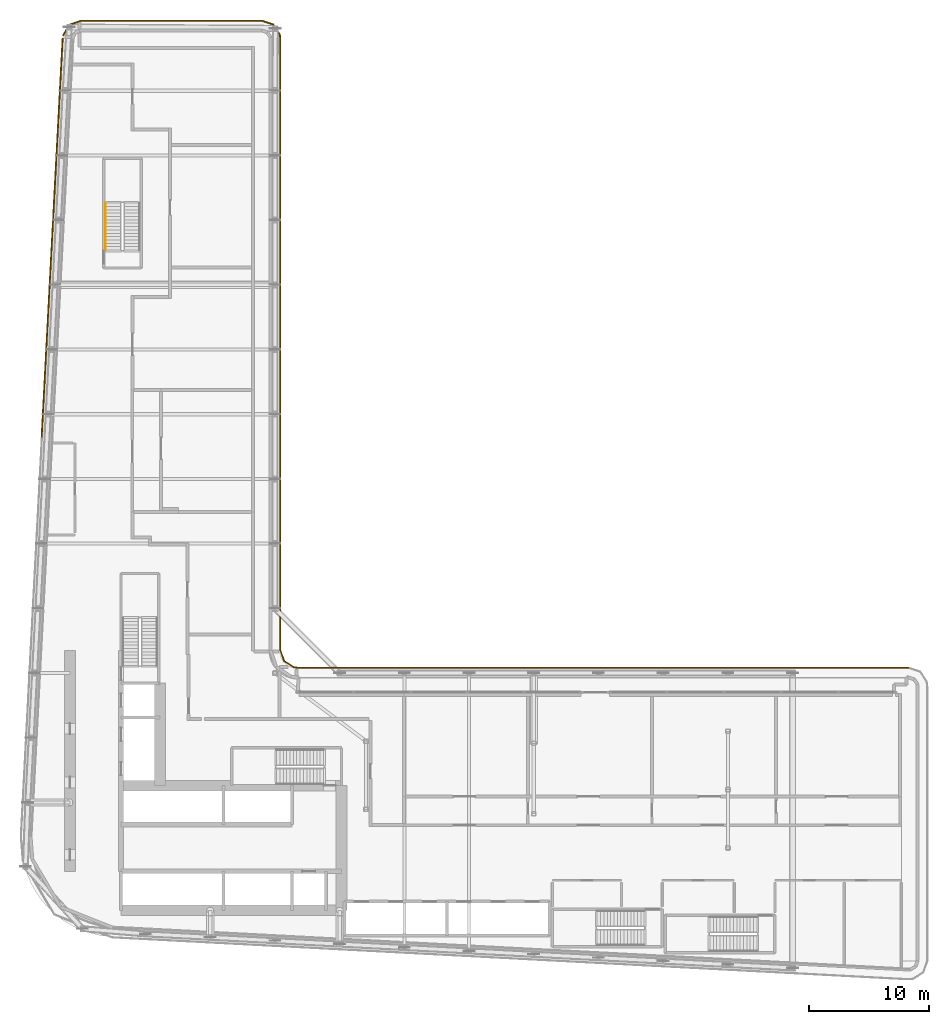
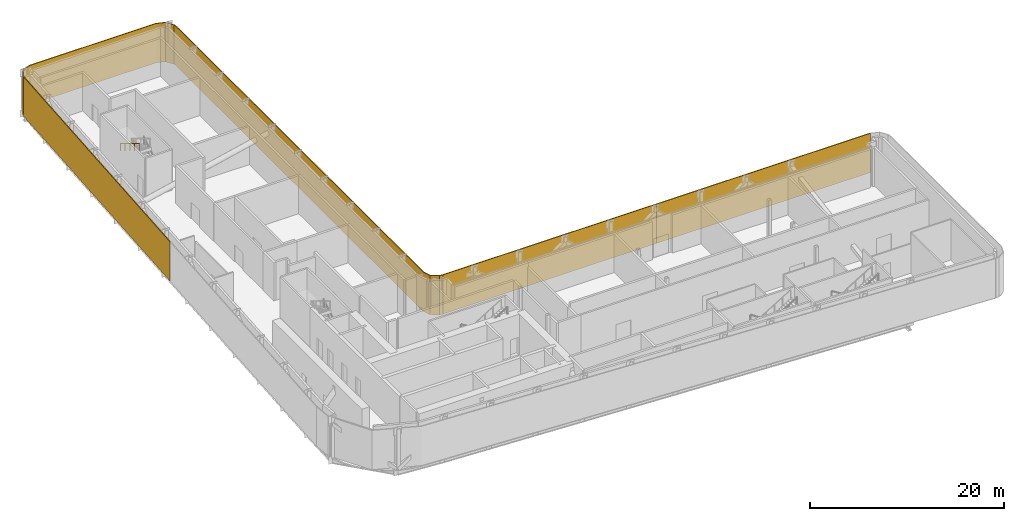
# One storey, part 28 of 30: 4 shading devices, 1 railing.
"""IFC4 building model written with IfcOpenShell, lengths in metres."""

from ifc_helpers import new_model, si_unit, direction, frame, origin, origin_2d, place, context, subcontext, project, spatial, polyline, rectangle, circle, outline, extrude, material, layer, layer_set, type_object, element, save


model = new_model("IFC4")

# Units and contexts
model_context = context("Model", 3, precision=1e-05, world=origin(), true_north=direction((0.0, 1.0)))
body_context = subcontext(model_context, "Body", "Model", "MODEL_VIEW")
ifc_project = project(units=[si_unit("LENGTHUNIT", "METRE"), si_unit("AREAUNIT", "SQUARE_METRE"), si_unit("VOLUMEUNIT", "CUBIC_METRE"), si_unit("PLANEANGLEUNIT", "RADIAN"), si_unit("MASSUNIT", "GRAM", prefix="KILO")], contexts=[model_context])

# Site, building, storey
site_placement = place(None, origin())
site = spatial("IfcSite", under=ifc_project, at=site_placement, CompositionType="ELEMENT")
building_placement = place(site_placement, origin())
building = spatial("IfcBuilding", under=site, at=building_placement, Name="Kheshtan School and Residences Tower", CompositionType="ELEMENT")
storey_placement = place(building_placement, frame((0.0, 0.0, 89.0)))
storey = spatial("IfcBuildingStorey", under=building, at=storey_placement, Name="L20", CompositionType="ELEMENT", Elevation=89.0)

# Shading devices
ifc_material_1 = material(Name="Terracotta louvre blades", Category="masonry")
ifc_layer = layer(ifc_material_1, 0.10009765625)
ifc_layer_set = layer_set([ifc_layer], Name="Plant louvre screen")
shading_device_type = type_object("IfcShadingDeviceType", Name="Plant louvre screen", PredefinedType="JALOUSIE", material=ifc_layer_set)
shading_device_1_placement = place(storey_placement, origin())
element("IfcShadingDevice", 1, at=shading_device_1_placement, inside=storey, type_object=shading_device_type, Name="Screen L20 1", PredefinedType="JALOUSIE", context=body_context, shape_type="SweptSolid", body=[
    extrude(outline(polyline([(29.949951171875, 98.783935546875), (30.468017578125, 99.656982421875), (31.423095703125, 100.0), (46.5, 100.0), (47.4130859375, 99.68994140625), (47.948974609375, 98.887939453125), (48.0, 98.5), (48.0, 47.5), (48.31005859375, 46.5869140625), (49.112060546875, 46.051025390625), (49.5, 46.0), (49.512939453125, 46.09912109375), (49.14794921875, 46.14697265625), (48.39404296875, 46.65087890625), (48.10009765625, 47.51708984375), (48.10009765625, 98.507080078125), (48.044921875, 98.924072265625), (47.47705078125, 99.77392578125), (46.51708984375, 100.10009765625), (31.406005859375, 100.10009765625), (30.39990234375, 99.739013671875), (29.864013671875, 98.8349609375), (29.949951171875, 98.783935546875)])), origin(), (0.0, 0.0, 1.0), 4.949951171875),
])
for number, where, z_axis, x_axis, name in (
    (2, (62.25, 46.050048828125, 0.0), (0.0, 0.0, 1.0), (1.0, 0.0, 0.0), "Screen L20 2"),
    (3, (87.75, 46.050048828125, 0.0), (0.0, 0.0, 1.0), (1.0, 0.0, 0.0), "Screen L20 3"),
):
    element("IfcShadingDevice", number, at=place(storey_placement, frame(where, z_axis=z_axis, x_axis=x_axis)), inside=storey, type_object=shading_device_type, Name=name, PredefinedType="JALOUSIE", context=body_context, shape_type="SweptSolid", body=[
        extrude(rectangle(XDim=25.5, YDim=0.10009765625, at=origin_2d()), origin(), (0.0, 0.0, 1.0), 4.949951171875),
    ])
shading_device_2_placement = place(storey_placement, frame((28.9990234375, 81.93408203125, 0.0), z_axis=(0.0, 0.0, 1.0), x_axis=(0.052562536748, 0.998617634398, 0.0)))
element("IfcShadingDevice", 4, at=shading_device_2_placement, inside=storey, type_object=shading_device_type, Name="Screen L20 7", PredefinedType="JALOUSIE", context=body_context, shape_type="SweptSolid", body=[
    extrude(rectangle(XDim=33.341064453125, YDim=0.10009765625, at=origin_2d()), origin(), (0.0, 0.0, 1.0), 4.949951171875),
])

# Railing
ifc_material_2 = material(Name="Stainless steel handrail", Category="steel")
railing_type = type_object("IfcRailingType", Name="Stair handrail 900", PredefinedType="HANDRAIL", material=ifc_material_2)
railing_placement = place(storey_placement, frame((33.449951171875, 84.820068359375, 2.719970703125)))
element("IfcRailing", 5, at=railing_placement, inside=storey, type_object=railing_type, Name="L20 ST3 stair handrail 2", PredefinedType="HANDRAIL", context=body_context, shape_type="SweptSolid", body=[
    extrude(circle(Radius=0.02392578125, at=origin_2d()), frame((0.0, 0.0, 0.8759765625), z_axis=(0.0, -0.854784984964, 0.518982301701), x_axis=(1.0, 0.0, 0.0)), (0.0, 0.0, 1.0), 4.586181640625),
    extrude(circle(Radius=0.02099609375, at=origin_2d()), origin(), (0.0, 0.0, 1.0), 0.851806640625),
    extrude(circle(Radius=0.02099609375, at=origin_2d()), frame((0.0, -0.97998046875, 0.594970703125)), (0.0, 0.0, 1.0), 0.851806640625),
    extrude(circle(Radius=0.02099609375, at=origin_2d()), frame((0.0, -1.9599609375, 1.18994140625)), (0.0, 0.0, 1.0), 0.851806640625),
    extrude(circle(Radius=0.02099609375, at=origin_2d()), frame((0.0, -2.940185546875, 1.78515625)), (0.0, 0.0, 1.0), 0.851806640625),
    extrude(circle(Radius=0.02099609375, at=origin_2d()), frame((0.0, -3.920166015625, 2.380126953125)), (0.0, 0.0, 1.0), 0.851806640625),
])

save(model, "model.ifc")
